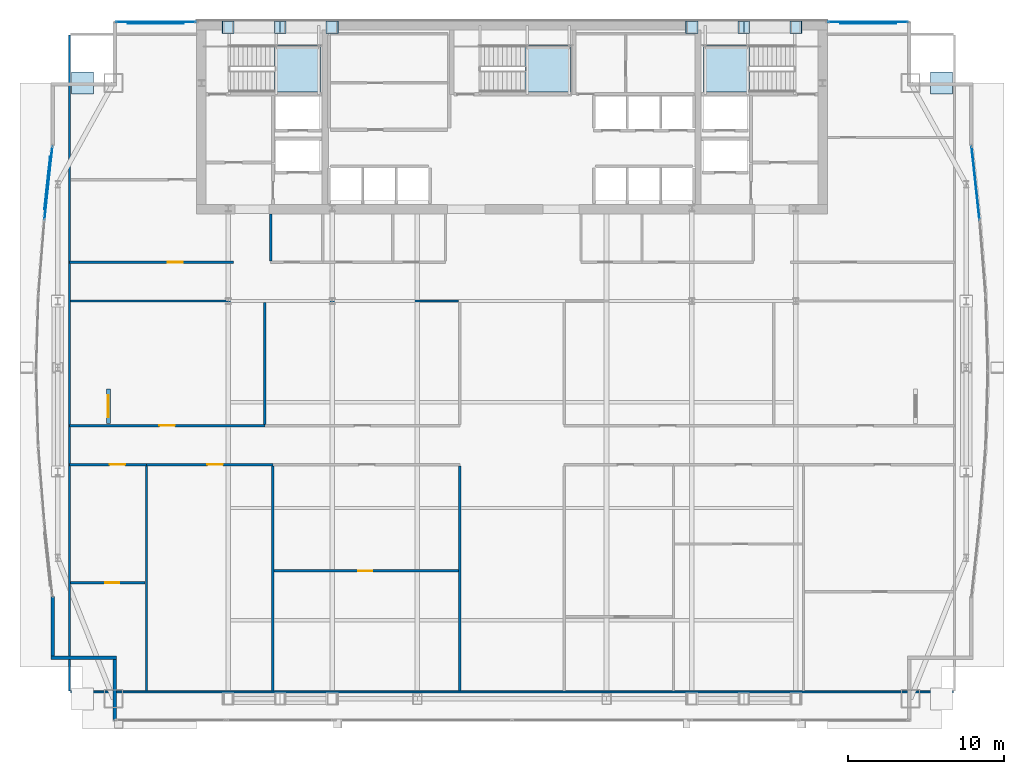
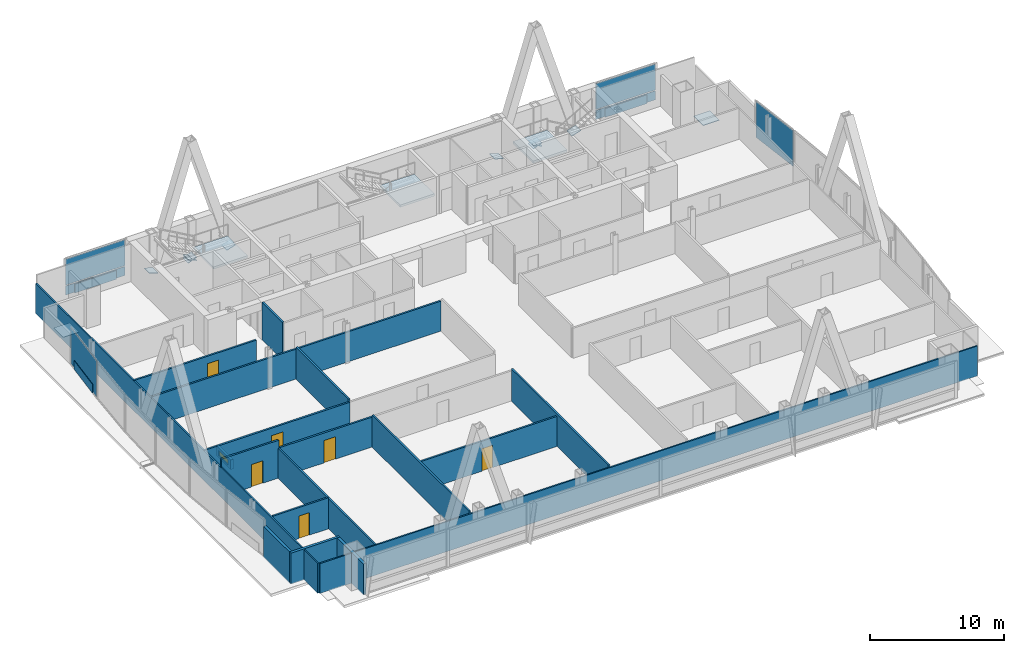
# One storey, part 26 of 32: 19 plates, 18 walls, 6 doors, 3 slabs, 1 window, 7 openings, 7 elements without a shape of their own.
"""IFC4 building model written with IfcOpenShell, lengths in metres."""

from ifc_helpers import new_model, si_unit, direction, frame, frame_2d, origin, origin_2d, place, context, subcontext, project, spatial, polyline, rectangle, outline, extrude, material, layer, layer_set, type_object, element, fill, aggregate, save


model = new_model("IFC4")

# Units and contexts
model_context = context("Model", 3, precision=1e-05, world=origin(), true_north=direction((0.0, 1.0)))
body_context = subcontext(model_context, "Body", "Model", "MODEL_VIEW")
ifc_project = project(units=[si_unit("LENGTHUNIT", "METRE"), si_unit("AREAUNIT", "SQUARE_METRE"), si_unit("VOLUMEUNIT", "CUBIC_METRE"), si_unit("PLANEANGLEUNIT", "RADIAN"), si_unit("MASSUNIT", "GRAM", prefix="KILO")], contexts=[model_context])

# Site, building, storey
site_placement = place(None, origin())
site = spatial("IfcSite", under=ifc_project, at=site_placement, CompositionType="ELEMENT")
building_placement = place(site_placement, origin())
building = spatial("IfcBuilding", under=site, at=building_placement, Name="Khoronbel Lancet Exchange", CompositionType="ELEMENT")
storey_placement = place(building_placement, frame((0.0, 0.0, 188.60009765625)))
storey = spatial("IfcBuildingStorey", under=building, at=storey_placement, Name="L47", CompositionType="ELEMENT", Elevation=188.60009765625)

# Curtain wall, plate
ifc_material_1 = material(Name="Low-E Solar Control Insulating Glass", Category="glass")
curtain_wall_type_1 = type_object("IfcCurtainWallType", Name="CW-4", PredefinedType="NOTDEFINED", material=ifc_material_1)
curtain_wall_1_placement = place(storey_placement, origin())
curtain_wall_1 = element("IfcCurtainWall", 1, at=curtain_wall_1_placement, inside=storey, type_object=curtain_wall_type_1, Name="Unitised curtain wall CW-L47-E09", PredefinedType="NOTDEFINED")
ifc_material_2 = material(Name="Bronze-Anodised Aluminium 6063-T6", Category="aluminium")
ifc_layer_1 = layer(ifc_material_2, 0.050048828125, Name="Bronze-Anodised Aluminium 6063-T6")
ifc_layer_set_1 = layer_set([ifc_layer_1], Name="Bronze-Anodised Aluminium 6063-T6")
plate_type_1 = type_object("IfcPlateType", Name="PLT-CSP1", PredefinedType="SHEET", material=ifc_layer_set_1)
plate_1_placement = place(storey_placement, frame((6.61767578125, 43.283203125, 0.0498046875), z_axis=(0.0, 0.0, 1.0), x_axis=(0.107990289834, 0.994151948799, 0.0)))
plate_1 = element("IfcPlate", 2, at=plate_1_placement, type_object=plate_type_1, Name="Insulated bronze spandrel cassette CW-L47-E09", PredefinedType="SHEET", context=body_context, shape_type="SweptSolid", body=[
    extrude(rectangle(XDim=3.40576171875, YDim=0.050048828125, at=origin_2d()), origin(), (0.0, 0.0, 1.0), 0.800048828125),
])

curtain_wall_type_2 = type_object("IfcCurtainWallType", Name="CW-3", PredefinedType="NOTDEFINED", material=ifc_material_1)
curtain_wall_2_placement = place(storey_placement, origin())
curtain_wall_2 = element("IfcCurtainWall", 3, at=curtain_wall_2_placement, inside=storey, type_object=curtain_wall_type_2, Name="Unitised curtain wall CW-L47-NWFLK", PredefinedType="NOTDEFINED")
plate_2_placement = place(storey_placement, frame((13.580078125, 53.550048828125, 0.0498046875), z_axis=(0.0, 0.0, 1.0), x_axis=(-1.0, 0.0, 0.0)))
plate_2 = element("IfcPlate", 4, at=plate_2_placement, type_object=plate_type_1, Name="Insulated bronze spandrel cassette CW-L47-NWFLK", PredefinedType="SHEET", context=body_context, shape_type="SweptSolid", body=[
    extrude(rectangle(XDim=3.60009765625, YDim=0.050048828125, at=origin_2d()), origin(), (0.0, 0.0, 1.0), 0.800048828125),
])

curtain_wall_3_placement = place(storey_placement, origin())
curtain_wall_3 = element("IfcCurtainWall", 5, at=curtain_wall_3_placement, inside=storey, type_object=curtain_wall_type_2, Name="Unitised curtain wall CW-L47-NEFLK", PredefinedType="NOTDEFINED")
plate_3_placement = place(storey_placement, frame((59.320068359375, 53.550048828125, 0.0498046875), z_axis=(0.0, 0.0, 1.0), x_axis=(-1.0, 0.0, 0.0)))
plate_3 = element("IfcPlate", 6, at=plate_3_placement, type_object=plate_type_1, Name="Insulated bronze spandrel cassette CW-L47-NEFLK", PredefinedType="SHEET", context=body_context, shape_type="SweptSolid", body=[
    extrude(rectangle(XDim=3.60009765625, YDim=0.050048828125, at=origin_2d()), origin(), (0.0, 0.0, 1.0), 0.800048828125),
])

# Plate
ifc_layer_2 = layer(ifc_material_1, 0.035888671875, Name="Low-E Solar Control Insulating Glass")
ifc_layer_set_2 = layer_set([ifc_layer_2], Name="Low-E Solar Control Insulating Glass")
plate_type_2 = type_object("IfcPlateType", Name="PLT-CWP1", PredefinedType="CURTAIN_PANEL", material=ifc_layer_set_2)
plate_4_placement = place(storey_placement, frame((13.580078125, 53.610107421875, 0.0849609375), z_axis=(0.0, 0.0, 1.0), x_axis=(-1.0, 0.0, 0.0)))
plate_4 = element("IfcPlate", 7, at=plate_4_placement, type_object=plate_type_2, Name="CW3 panel 1.1", PredefinedType="CURTAIN_PANEL", context=body_context, shape_type="SweptSolid", body=[
    extrude(rectangle(XDim=5.110107421875, YDim=0.0380859375, at=origin_2d()), origin(), (0.0, 0.0, 1.0), 0.822509765625),
])

plate_5_placement = place(storey_placement, frame((13.580078125, 53.610107421875, 0.9921875), z_axis=(0.0, 0.0, 1.0), x_axis=(-1.0, 0.0, 0.0)))
plate_5 = element("IfcPlate", 8, at=plate_5_placement, type_object=plate_type_2, Name="CW3 panel 1.2", PredefinedType="CURTAIN_PANEL", context=body_context, shape_type="SweptSolid", body=[
    extrude(rectangle(XDim=5.110107421875, YDim=0.0380859375, at=origin_2d()), origin(), (0.0, 0.0, 1.0), 2.362548828125),
])

aggregate(curtain_wall_2, [plate_4, plate_5, plate_2])

plate_6_placement = place(storey_placement, frame((59.320068359375, 53.610107421875, 0.0849609375), z_axis=(0.0, 0.0, 1.0), x_axis=(-1.0, 0.0, 0.0)))
plate_6 = element("IfcPlate", 9, at=plate_6_placement, type_object=plate_type_2, Name="CW3 panel 1.1", PredefinedType="CURTAIN_PANEL", context=body_context, shape_type="SweptSolid", body=[
    extrude(rectangle(XDim=5.110107421875, YDim=0.0380859375, at=origin_2d()), origin(), (0.0, 0.0, 1.0), 0.822509765625),
])

plate_7_placement = place(storey_placement, frame((59.320068359375, 53.610107421875, 0.9921875), z_axis=(0.0, 0.0, 1.0), x_axis=(-1.0, 0.0, 0.0)))
plate_7 = element("IfcPlate", 10, at=plate_7_placement, type_object=plate_type_2, Name="CW3 panel 1.2", PredefinedType="CURTAIN_PANEL", context=body_context, shape_type="SweptSolid", body=[
    extrude(rectangle(XDim=5.110107421875, YDim=0.0380859375, at=origin_2d()), origin(), (0.0, 0.0, 1.0), 2.362548828125),
])

aggregate(curtain_wall_3, [plate_6, plate_7, plate_3])

ifc_material_3 = material(Name="Ceramic-Fritted Laminated Insulating Glass", Category="glass")
ifc_layer_3 = layer(ifc_material_3, 0.0419921875, Name="Ceramic-Fritted Laminated Insulating Glass")
ifc_layer_set_3 = layer_set([ifc_layer_3], Name="Ceramic-Fritted Laminated Insulating Glass")
plate_type_3 = type_object("IfcPlateType", Name="PLT-CWP2", PredefinedType="CURTAIN_PANEL", material=ifc_layer_set_3)
plate_8_placement = place(storey_placement, frame((6.67724609375, 43.276611328125, 0.0849609375), z_axis=(0.0, 0.0, 1.0), x_axis=(0.107990289834, 0.994151948799, 0.0)))
plate_8 = element("IfcPlate", 11, at=plate_8_placement, type_object=plate_type_3, Name="CW4 panel 1.1", PredefinedType="CURTAIN_PANEL", context=body_context, shape_type="SweptSolid", body=[
    extrude(rectangle(XDim=4.71533203125, YDim=0.0380859375, at=origin_2d()), origin(), (0.0, 0.0, 1.0), 3.27001953125),
])

aggregate(curtain_wall_1, [plate_8, plate_1])

# Curtain wall, plate
curtain_wall_4_placement = place(storey_placement, origin())
curtain_wall_4 = element("IfcCurtainWall", 12, at=curtain_wall_4_placement, inside=storey, type_object=curtain_wall_type_1, Name="Unitised curtain wall CW-L47-E17", PredefinedType="NOTDEFINED")
plate_9_placement = place(storey_placement, frame((66.22265625, 43.276611328125, 0.0849609375), z_axis=(0.0, 0.0, 1.0), x_axis=(0.107990289834, -0.994151948799, 0.0)))
plate_9 = element("IfcPlate", 13, at=plate_9_placement, type_object=plate_type_3, Name="CW4 panel 1.1", PredefinedType="CURTAIN_PANEL", context=body_context, shape_type="SweptSolid", body=[
    extrude(rectangle(XDim=4.71533203125, YDim=0.0380859375, at=origin_2d()), origin(), (0.0, 0.0, 1.0), 3.27001953125),
])
aggregate(curtain_wall_4, [plate_9])

# Plates
ifc_material_4 = material(Name="Steel S460", Category="steel")
ifc_layer_4 = layer(ifc_material_4, 0.044921875, Name="Steel S460")
ifc_layer_set_4 = layer_set([ifc_layer_4], Name="Steel S460")
plate_type_4 = type_object("IfcPlateType", Name="PLT-ECP1", PredefinedType="USERDEFINED", material=ifc_layer_set_4)
plate_10_placement = place(storey_placement, frame((0.0, 0.0, -0.01220703125)))
element("IfcPlate", 14, at=plate_10_placement, inside=storey, type_object=plate_type_4, Name="Hollow end cap plate PLT-CAP-COL-L46-MC-NE-TOP", ObjectType="STIFFENER_PLATE", PredefinedType="USERDEFINED", context=body_context, shape_type="SweptSolid", body=[
    extrude(outline(polyline([(63.344970703125, 48.9951171875), (64.7548828125, 48.9951171875), (64.7548828125, 50.405029296875), (63.344970703125, 50.405029296875), (63.344970703125, 48.9951171875)])), origin(), (0.0, 0.0, 1.0), 0.045166015625),
])
plate_11_placement = place(storey_placement, frame((0.0, 0.0, -0.01220703125)))
element("IfcPlate", 15, at=plate_11_placement, inside=storey, type_object=plate_type_4, Name="Hollow end cap plate PLT-CAP-COL-L46-MC-NW-TOP", ObjectType="STIFFENER_PLATE", PredefinedType="USERDEFINED", context=body_context, shape_type="SweptSolid", body=[
    extrude(outline(polyline([(8.14501953125, 48.9951171875), (9.554931640625, 48.9951171875), (9.554931640625, 50.405029296875), (8.14501953125, 50.405029296875), (8.14501953125, 48.9951171875)])), origin(), (0.0, 0.0, 1.0), 0.045166015625),
])
for number, where, z_axis, x_axis, name in (
    (16, (21.9443359375, 52.8798828125, -0.12353515625), (0.384875433743, 0.0, 0.922968526279), (0.0, 1.0, 0.0), "Hollow end cap plate PLT-CAP-MEM-MB-T15-N-W-L-1"),
    (17, (21.1806640625, 53.679931640625, -0.12353515625), (-0.384875433743, 0.0, 0.922968526279), (0.0, -1.0, 0.0), "Hollow end cap plate PLT-CAP-MEM-MB-T15-N-W-R-1"),
):
    element("IfcPlate", number, at=place(storey_placement, frame(where, z_axis=z_axis, x_axis=x_axis)), inside=storey, type_object=plate_type_4, Name=name, ObjectType="STIFFENER_PLATE", PredefinedType="USERDEFINED", context=body_context, shape_type="SweptSolid", body=[
        extrude(outline(polyline([(0.0, 0.0), (0.800048828125, 0.0), (0.800048828125, 0.7998046875), (0.0, 0.7998046875), (0.0, 0.0)])), origin(), (0.0, 0.0, -1.0), 0.044921875),
    ])
plate_12_placement = place(storey_placement, frame((51.719482421875, 52.8798828125, -0.12353515625), z_axis=(0.384767040928, 0.0, 0.923013718325), x_axis=(0.0, 1.0, 0.0)))
element("IfcPlate", 18, at=plate_12_placement, inside=storey, type_object=plate_type_4, Name="Hollow end cap plate PLT-CAP-MEM-MB-T15-N-E-L-1", ObjectType="STIFFENER_PLATE", PredefinedType="USERDEFINED", context=body_context, shape_type="SweptSolid", body=[
    extrude(outline(polyline([(0.0, 0.0), (0.800048828125, 0.0), (0.800048828125, 0.800048828125), (0.0, 0.800048828125), (0.0, 0.0)])), origin(), (0.0, 0.0, -1.0), 0.044921875),
])
for number, where, z_axis, x_axis, name in (
    (19, (50.95556640625, 53.679931640625, -0.12353515625), (-0.384875433743, 0.0, 0.922968526279), (0.0, -1.0, 0.0), "Hollow end cap plate PLT-CAP-MEM-MB-T15-N-E-R-1"),
    (20, (18.610595703125, 52.8798828125, -0.106689453125), (0.295179616828, 0.0, 0.955441779393), (0.0, 1.0, 0.0), "Hollow end cap plate PLT-CAP-MEM-MB-T16-N-W-L-0"),
    (21, (24.514404296875, 53.679931640625, -0.106689453125), (-0.295179616828, 0.0, 0.955441779393), (0.0, -1.0, 0.0), "Hollow end cap plate PLT-CAP-MEM-MB-T16-N-W-R-0"),
):
    element("IfcPlate", number, at=place(storey_placement, frame(where, z_axis=z_axis, x_axis=x_axis)), inside=storey, type_object=plate_type_4, Name=name, ObjectType="STIFFENER_PLATE", PredefinedType="USERDEFINED", context=body_context, shape_type="SweptSolid", body=[
        extrude(outline(polyline([(0.0, 0.0), (0.800048828125, 0.0), (0.800048828125, 0.7998046875), (0.0, 0.7998046875), (0.0, 0.0)])), origin(), (0.0, 0.0, -1.0), 0.044921875),
    ])
for number, where, z_axis, x_axis, name in (
    (22, (48.3857421875, 52.8798828125, -0.106689453125), (0.295093551173, 0.0, 0.955468364759), (0.0, 1.0, 0.0), "Hollow end cap plate PLT-CAP-MEM-MB-T16-N-E-L-0"),
    (23, (54.289306640625, 53.679931640625, -0.106689453125), (-0.295093551173, 0.0, 0.955468364759), (0.0, -1.0, 0.0), "Hollow end cap plate PLT-CAP-MEM-MB-T16-N-E-R-0"),
):
    element("IfcPlate", number, at=place(storey_placement, frame(where, z_axis=z_axis, x_axis=x_axis)), inside=storey, type_object=plate_type_4, Name=name, ObjectType="STIFFENER_PLATE", PredefinedType="USERDEFINED", context=body_context, shape_type="SweptSolid", body=[
        extrude(outline(polyline([(0.0, 0.0), (0.800048828125, 0.0), (0.800048828125, 0.800048828125), (0.0, 0.800048828125), (0.0, 0.0)])), origin(), (0.0, 0.0, -1.0), 0.044921875),
    ])

# Stair, slab
ifc_material_5 = material(Name="Concrete C40/50", Category="concrete")
stair_type = type_object("IfcStairType", Name="STR-CORE150", PredefinedType="HALF_TURN_STAIR", material=ifc_material_5)
stair_1_placement = place(storey_placement, origin())
stair_1 = element("IfcStair", 24, at=stair_1_placement, inside=storey, type_object=stair_type, Name="L47 Protected Exit Stair ST1", PredefinedType="HALF_TURN_STAIR")
ifc_layer_5 = layer(ifc_material_5, 0.199951171875, Name="Concrete C40/50")
ifc_layer_set_5 = layer_set([ifc_layer_5], Name="Concrete C40/50")
slab_type = type_object("IfcSlabType", Name="SL-LND180", PredefinedType="LANDING", material=ifc_layer_set_5)
slab_1_placement = place(storey_placement, frame((0.0, 0.0, 1.599853515625)))
slab_1 = element("IfcSlab", 25, at=slab_1_placement, type_object=slab_type, Name="ST1 landing 1", PredefinedType="LANDING", context=body_context, shape_type="SweptSolid", body=[
    extrude(outline(polyline([(21.199951171875, 49.1201171875), (24.14990234375, 49.1201171875), (24.14990234375, 52.10009765625), (21.199951171875, 52.10009765625), (21.199951171875, 49.1201171875)])), origin(), (0.0, 0.0, 1.0), 0.199951171875),
])
aggregate(stair_1, [slab_1])

stair_2_placement = place(storey_placement, origin())
stair_2 = element("IfcStair", 26, at=stair_2_placement, inside=storey, type_object=stair_type, Name="L47 Protected Exit Stair ST2", PredefinedType="HALF_TURN_STAIR")
slab_2_placement = place(storey_placement, frame((0.0, 0.0, 1.599853515625)))
slab_2 = element("IfcSlab", 27, at=slab_2_placement, type_object=slab_type, Name="ST2 landing 1", PredefinedType="LANDING", context=body_context, shape_type="SweptSolid", body=[
    extrude(outline(polyline([(51.699951171875, 52.10009765625), (48.75, 52.10009765625), (48.75, 49.1201171875), (51.699951171875, 49.1201171875), (51.699951171875, 52.10009765625)])), origin(), (0.0, 0.0, 1.0), 0.199951171875),
])
aggregate(stair_2, [slab_2])

stair_3_placement = place(storey_placement, origin())
stair_3 = element("IfcStair", 28, at=stair_3_placement, inside=storey, type_object=stair_type, Name="L47 Protected Exit Stair ST3", PredefinedType="HALF_TURN_STAIR")
slab_3_placement = place(storey_placement, frame((0.0, 0.0, 1.599853515625)))
slab_3 = element("IfcSlab", 29, at=slab_3_placement, type_object=slab_type, Name="ST3 landing 1", PredefinedType="LANDING", context=body_context, shape_type="SweptSolid", body=[
    extrude(outline(polyline([(37.300048828125, 49.1201171875), (40.25, 49.1201171875), (40.25, 52.10009765625), (37.300048828125, 52.10009765625), (37.300048828125, 49.1201171875)])), origin(), (0.0, 0.0, 1.0), 0.199951171875),
])
aggregate(stair_3, [slab_3])

# Walls
ifc_material_6 = material(Name="Precast concrete C40/50", Category="concrete")
ifc_layer_6 = layer(ifc_material_6, 0.25, Name="Precast concrete C40/50")
ifc_layer_set_6 = layer_set([ifc_layer_6], Name="Precast concrete C40/50")
wall_type_1 = type_object("IfcWallType", Name="WL-EXT250", PredefinedType="SOLIDWALL", material=ifc_layer_set_6)
wall_1_placement = place(storey_placement, frame((10.93994140625, 8.77001953125, 0.0), z_axis=(0.0, 0.0, 1.0), x_axis=(0.0, 1.0, 0.0)))
element("IfcWall", 30, at=wall_1_placement, inside=storey, type_object=wall_type_1, Name="Level L47 notched-corner limestone pier 01", PredefinedType="SOLIDWALL", context=body_context, shape_type="SweptSolid", body=[
    extrude(rectangle(XDim=3.909912109375, YDim=0.219970703125, at=frame_2d((1.955078125, 0.0))), origin(), (0.0, 0.0, 1.0), 2.829833984375),
])
wall_2_placement = place(storey_placement, frame((11.050048828125, 12.7900390625, 0.0), z_axis=(0.0, 0.0, 1.0), x_axis=(-1.0, 0.0, 0.0)))
element("IfcWall", 31, at=wall_2_placement, inside=storey, type_object=wall_type_1, Name="Level L47 notched-corner limestone pier 02", PredefinedType="SOLIDWALL", context=body_context, shape_type="SweptSolid", body=[
    extrude(rectangle(XDim=4.219970703125, YDim=0.219970703125, at=frame_2d((2.10986328125, 0.0))), origin(), (0.0, 0.0, 1.0), 2.829833984375),
])
wall_3_placement = place(storey_placement, frame((6.93994140625, 12.89990234375, 0.0), z_axis=(0.0, 0.0, 1.0), x_axis=(0.0, 1.0, 0.0)))
element("IfcWall", 32, at=wall_3_placement, inside=storey, type_object=wall_type_1, Name="Level L47 notched-corner limestone pier 03", PredefinedType="SOLIDWALL", context=body_context, shape_type="SweptSolid", body=[
    extrude(rectangle(XDim=3.824951171875, YDim=0.219970703125, at=frame_2d((1.91259765625, 0.0))), origin(), (0.0, 0.0, 1.0), 2.829833984375),
])

# Wall, opening, window
ifc_layer_7 = layer(ifc_material_5, 0.25, Name="Concrete C40/50")
ifc_layer_set_7 = layer_set([ifc_layer_7], Name="Concrete C40/50")
wall_type_2 = type_object("IfcWallType", Name="WL-PAR250", PredefinedType="PARAPET", material=ifc_layer_set_7)
wall_4_placement = place(storey_placement, frame((10.52490234375, 27.85009765625, 0.0), z_axis=(0.0, 0.0, 1.0), x_axis=(0.0, 1.0, 0.0)))
wall_4 = element("IfcWall", 33, at=wall_4_placement, inside=storey, type_object=wall_type_2, Name="Level L47 setback roof slab 1 smoke-ventilation skylight lantern curb", PredefinedType="PARAPET", context=body_context, shape_type="SweptSolid", body=[
    extrude(rectangle(XDim=2.199951171875, YDim=0.25, at=frame_2d((1.10009765625, 0.0))), origin(), (0.0, 0.0, 1.0), 0.8798828125),
])
opening_1_placement = place(wall_4_placement, frame((0.39990234375, 0.0, 0.159912109375)))
opening_1 = element("IfcOpeningElement", 34, at=opening_1_placement, cuts=wall_4, Name="Opening SK2", PredefinedType="OPENING", context=body_context, shape_type="SweptSolid", body=[
    extrude(rectangle(XDim=1.39990234375, YDim=0.5, at=frame_2d((0.699951171875, 0.25))), frame((0.0, 0.135009765625, 0.0), z_axis=(0.0, -1.0, 0.0), x_axis=(1.0, 0.0, 0.0)), (0.0, 0.0, 1.0), 0.27001953125),
])
window_type = type_object("IfcWindowType", Name="WIN-SK2", PartitioningType="SINGLE_PANEL", PredefinedType="SKYLIGHT", material=ifc_material_1)
window_placement = place(opening_1_placement, origin())
window = element("IfcWindow", 35, at=window_placement, inside=storey, type_object=window_type, Name="Level L47 setback roof slab 1 smoke-ventilation clerestory skylight", OverallHeight=0.5, OverallWidth=1.39990234375, PartitioningType="SINGLE_PANEL", PredefinedType="SKYLIGHT", context=body_context, shape_type="SweptSolid", body=[
    extrude(rectangle(XDim=1.39990234375, YDim=0.5, at=frame_2d((0.699951171875, 0.25))), frame((0.0, 0.030029296875, 0.0), z_axis=(0.0, -1.0, 0.0), x_axis=(1.0, 0.0, 0.0)), (0.0, 0.0, 1.0), 0.06005859375),
])
fill(opening_1, window)

# Wall
ifc_material_7 = material(Name="Acoustic Metal-Stud & Mineral-Wool Gypsum Partition 120 mm", Category="gypsum")
ifc_layer_8 = layer(ifc_material_7, 0.1201171875, Name="Acoustic Metal-Stud & Mineral-Wool Gypsum Partition 120 mm")
ifc_layer_set_8 = layer_set([ifc_layer_8], Name="Acoustic Metal-Stud & Mineral-Wool Gypsum Partition 120 mm")
wall_type_3 = type_object("IfcWallType", Name="WL-PRT120", PredefinedType="PARTITIONING", material=ifc_layer_set_8)
wall_5_placement = place(storey_placement, frame((20.949951171875, 38.280029296875, 0.0), z_axis=(0.0, 0.0, 1.0), x_axis=(0.0, 1.0, 0.0)))
element("IfcWall", 36, at=wall_5_placement, inside=storey, type_object=wall_type_3, Name="Level L47 interior partition PW-WC-0", PredefinedType="PARTITIONING", context=body_context, shape_type="SweptSolid", body=[
    extrude(rectangle(XDim=3.02001953125, YDim=0.14990234375, at=frame_2d((1.510009765625, 0.0))), origin(), (0.0, 0.0, 1.0), 3.43994140625),
])

# Wall, opening, door
wall_6_placement = place(storey_placement, frame((8.094970703125, 17.602294921875, 0.0), z_axis=(0.0, 0.0, 1.0), x_axis=(1.0, 0.0, 0.0)))
wall_6 = element("IfcWall", 37, at=wall_6_placement, inside=storey, type_object=wall_type_3, Name="Level L47 interior partition PW-Z3SW-H1", PredefinedType="PARTITIONING", context=body_context, shape_type="SweptSolid", body=[
    extrude(rectangle(XDim=4.796875, YDim=0.14990234375, at=frame_2d((2.3984375, 0.0))), origin(), (0.0, 0.0, 1.0), 2.829833984375),
])
opening_2_placement = place(wall_6_placement, frame((2.223876953125, 0.0, 0.0)))
opening_2 = element("IfcOpeningElement", 38, at=opening_2_placement, cuts=wall_6, Name="Opening D5", PredefinedType="OPENING", context=body_context, shape_type="SweptSolid", body=[
    extrude(rectangle(XDim=0.89990234375, YDim=2.050048828125, at=frame_2d((0.449951171875, 1.02490234375))), frame((0.0, 0.0849609375, 0.0), z_axis=(0.0, -1.0, 0.0), x_axis=(1.0, 0.0, 0.0)), (0.0, 0.0, 1.0), 0.169921875),
])
ifc_material_8 = material(Name="Acoustic Timber Pantry & Support Door", Category="wood")
door_type_1 = type_object("IfcDoorType", Name="DR-D5", OperationType="NOTDEFINED", PredefinedType="DOOR", material=ifc_material_8)
door_1_placement = place(opening_2_placement, origin())
door_1 = element("IfcDoor", 39, at=door_1_placement, inside=storey, type_object=door_type_1, Name="Z3SW inner door 1 L47-1", OperationType="SINGLE_SWING_LEFT", OverallHeight=2.050048828125, OverallWidth=0.89990234375, PredefinedType="DOOR", context=body_context, shape_type="SweptSolid", body=[
    extrude(rectangle(XDim=0.89990234375, YDim=2.050048828125, at=frame_2d((0.449951171875, 1.02490234375))), frame((0.0, 0.02490234375, 0.0), z_axis=(0.0, -1.0, 0.0), x_axis=(1.0, 0.0, 0.0)), (0.0, 0.0, 1.0), 0.050048828125),
])
fill(opening_2, door_1)

wall_7_placement = place(storey_placement, frame((21.16845703125, 18.365966796875, 0.0), z_axis=(0.0, 0.0, 1.0), x_axis=(1.0, 0.0, 0.0)))
wall_7 = element("IfcWall", 40, at=wall_7_placement, inside=storey, type_object=wall_type_3, Name="Level L47 interior partition PW-Z3SW-H3", PredefinedType="PARTITIONING", context=body_context, shape_type="SweptSolid", body=[
    extrude(rectangle(XDim=11.8515625, YDim=0.14990234375, at=frame_2d((5.92578125, 0.0))), origin(), (0.0, 0.0, 1.0), 2.72998046875),
])
opening_3_placement = place(wall_7_placement, frame((5.4052734375, 0.0, 0.0)))
opening_3 = element("IfcOpeningElement", 41, at=opening_3_placement, cuts=wall_7, Name="Opening D5", PredefinedType="OPENING", context=body_context, shape_type="SweptSolid", body=[
    extrude(rectangle(XDim=0.89990234375, YDim=2.050048828125, at=frame_2d((0.449951171875, 1.02490234375))), frame((0.0, 0.0849609375, 0.0), z_axis=(0.0, -1.0, 0.0), x_axis=(1.0, 0.0, 0.0)), (0.0, 0.0, 1.0), 0.169921875),
])
door_2_placement = place(opening_3_placement, origin())
door_2 = element("IfcDoor", 42, at=door_2_placement, inside=storey, type_object=door_type_1, Name="Z3SW inner door 3 L47-1", OperationType="SINGLE_SWING_RIGHT", OverallHeight=2.050048828125, OverallWidth=0.89990234375, PredefinedType="DOOR", context=body_context, shape_type="SweptSolid", body=[
    extrude(rectangle(XDim=0.89990234375, YDim=2.050048828125, at=frame_2d((0.449951171875, 1.02490234375))), frame((0.0, 0.02490234375, 0.0), z_axis=(0.0, -1.0, 0.0), x_axis=(1.0, 0.0, 0.0)), (0.0, 0.0, 1.0), 0.050048828125),
])
fill(opening_3, door_2)

# Walls
wall_8_placement = place(storey_placement, frame((8.030029296875, 10.6650390625, 0.0), z_axis=(0.0, 0.0, 1.0), x_axis=(0.0, 1.0, 0.0)))
element("IfcWall", 43, at=wall_8_placement, inside=storey, type_object=wall_type_3, Name="Level L47 interior partition PW-LIN-W", PredefinedType="PARTITIONING", context=body_context, shape_type="SweptSolid", body=[
    extrude(rectangle(XDim=42.10986328125, YDim=0.1201171875, at=frame_2d((21.054931640625, 0.0))), origin(), (0.0, 0.0, 1.0), 2.72998046875),
])
wall_9_placement = place(storey_placement, frame((8.094970703125, 10.60009765625, 0.0), z_axis=(0.0, 0.0, 1.0), x_axis=(1.0, 0.0, 0.0)))
element("IfcWall", 44, at=wall_9_placement, inside=storey, type_object=wall_type_3, Name="Level L47 interior partition PW-LIN-S", PredefinedType="PARTITIONING", context=body_context, shape_type="SweptSolid", body=[
    extrude(rectangle(XDim=56.7099609375, YDim=0.1201171875, at=frame_2d((28.35498046875, 0.0))), origin(), (0.0, 0.0, 1.0), 2.72998046875),
])

# Wall, opening, door
ifc_material_9 = material(Name="Fire-Rated Twin-Stud Acoustic Gypsum Partition 150 mm", Category="gypsum")
ifc_layer_9 = layer(ifc_material_9, 0.14990234375, Name="Fire-Rated Twin-Stud Acoustic Gypsum Partition 150 mm")
ifc_layer_set_9 = layer_set([ifc_layer_9], Name="Fire-Rated Twin-Stud Acoustic Gypsum Partition 150 mm")
wall_type_4 = type_object("IfcWallType", Name="WL-PRT150C", PredefinedType="PARTITIONING", material=ifc_layer_set_9)
wall_10_placement = place(storey_placement, frame((8.030029296875, 38.199951171875, 0.0), z_axis=(0.0, 0.0, 1.0), x_axis=(1.0, 0.0, 0.0)))
wall_10 = element("IfcWall", 45, at=wall_10_placement, inside=storey, type_object=wall_type_4, Name="Level L47 interior partition PW-NW-S", PredefinedType="PARTITIONING", context=body_context, shape_type="SweptSolid", body=[
    extrude(rectangle(XDim=10.52001953125, YDim=0.14990234375, at=frame_2d((5.260009765625, 0.0))), origin(), (0.0, 0.0, 1.0), 2.72998046875),
])
opening_4_placement = place(wall_10_placement, frame((6.320068359375, 0.0, 0.0)))
opening_4 = element("IfcOpeningElement", 46, at=opening_4_placement, cuts=wall_10, Name="Opening D1", PredefinedType="OPENING", context=body_context, shape_type="SweptSolid", body=[
    extrude(rectangle(XDim=0.949951171875, YDim=2.050048828125, at=frame_2d((0.47509765625, 1.02490234375))), frame((0.0, 0.0849609375, 0.0), z_axis=(0.0, -1.0, 0.0), x_axis=(1.0, 0.0, 0.0)), (0.0, 0.0, 1.0), 0.169921875),
])
ifc_material_10 = material(Name="Acoustic Veneered Timber & Bronze Frame Door", Category="wood")
door_type_2 = type_object("IfcDoorType", Name="DR-D1", OperationType="NOTDEFINED", PredefinedType="DOOR", material=ifc_material_10)
door_3_placement = place(opening_4_placement, origin())
door_3 = element("IfcDoor", 47, at=door_3_placement, inside=storey, type_object=door_type_2, Name="NW corner room door L47-1", OperationType="SINGLE_SWING_RIGHT", OverallHeight=2.050048828125, OverallWidth=0.949951171875, PredefinedType="DOOR", context=body_context, shape_type="SweptSolid", body=[
    extrude(rectangle(XDim=0.949951171875, YDim=2.050048828125, at=frame_2d((0.47509765625, 1.02490234375))), frame((0.0, 0.02490234375, 0.0), z_axis=(0.0, -1.0, 0.0), x_axis=(1.0, 0.0, 0.0)), (0.0, 0.0, 1.0), 0.050048828125),
])
fill(opening_4, door_3)

# Walls
wall_11_placement = place(storey_placement, frame((33.10009765625, 10.6650390625, 0.0), z_axis=(0.0, 0.0, 1.0), x_axis=(0.0, 1.0, 0.0)))
element("IfcWall", 48, at=wall_11_placement, inside=storey, type_object=wall_type_4, Name="Level L47 interior partition PW-Z3-CW1", PredefinedType="PARTITIONING", context=body_context, shape_type="SweptSolid", body=[
    extrude(rectangle(XDim=14.449951171875, YDim=0.14990234375, at=frame_2d((7.22509765625, 0.0))), origin(), (0.0, 0.0, 1.0), 2.929931640625),
])
wall_12_placement = place(storey_placement, frame((8.094970703125, 35.699951171875, 0.0), z_axis=(0.0, 0.0, 1.0), x_axis=(1.0, 0.0, 0.0)))
element("IfcWall", 49, at=wall_12_placement, inside=storey, type_object=wall_type_4, Name="Level L47 interior partition PW-Z3-WN", PredefinedType="PARTITIONING", context=body_context, shape_type="SweptSolid", body=[
    extrude(rectangle(XDim=24.925048828125, YDim=0.14990234375, at=frame_2d((12.46240234375, 0.0))), origin(), (0.0, 0.0, 1.0), 2.72998046875),
])
wall_13_placement = place(storey_placement, frame((12.971923828125, 10.6650390625, 0.0), z_axis=(0.0, 0.0, 1.0), x_axis=(0.0, 1.0, 0.0)))
element("IfcWall", 50, at=wall_13_placement, inside=storey, type_object=wall_type_4, Name="Level L47 interior partition PW-Z3SW-V1", PredefinedType="PARTITIONING", context=body_context, shape_type="SweptSolid", body=[
    extrude(rectangle(XDim=14.449951171875, YDim=0.14990234375, at=frame_2d((7.22509765625, 0.0))), origin(), (0.0, 0.0, 1.0), 2.72998046875),
])
wall_14_placement = place(storey_placement, frame((21.08837890625, 10.6650390625, 0.0), z_axis=(0.0, 0.0, 1.0), x_axis=(0.0, 1.0, 0.0)))
element("IfcWall", 51, at=wall_14_placement, inside=storey, type_object=wall_type_4, Name="Level L47 interior partition PW-Z3SW-V2", PredefinedType="PARTITIONING", context=body_context, shape_type="SweptSolid", body=[
    extrude(rectangle(XDim=14.449951171875, YDim=0.14990234375, at=frame_2d((7.22509765625, 0.0))), origin(), (0.0, 0.0, 1.0), 2.929931640625),
])
wall_15_placement = place(storey_placement, frame((20.5771484375, 27.784912109375, 0.0), z_axis=(0.0, 0.0, 1.0), x_axis=(0.0, 1.0, 0.0)))
element("IfcWall", 52, at=wall_15_placement, inside=storey, type_object=wall_type_4, Name="Level L47 interior partition PW-Z3NW-V1", PredefinedType="PARTITIONING", context=body_context, shape_type="SweptSolid", body=[
    extrude(rectangle(XDim=7.835205078125, YDim=0.14990234375, at=frame_2d((3.91748046875, 0.0))), origin(), (0.0, 0.0, 1.0), 2.929931640625),
])

# Wall, opening, door
ifc_material_11 = material(Name="Fire-Rated Twin-Stud Acoustic Gypsum Partition 160 mm", Category="gypsum")
ifc_layer_10 = layer(ifc_material_11, 0.159912109375, Name="Fire-Rated Twin-Stud Acoustic Gypsum Partition 160 mm")
ifc_layer_set_10 = layer_set([ifc_layer_10], Name="Fire-Rated Twin-Stud Acoustic Gypsum Partition 160 mm")
wall_type_5 = type_object("IfcWallType", Name="WL-PRT160C", PredefinedType="PARTITIONING", material=ifc_layer_set_10)
wall_16_placement = place(storey_placement, frame((8.030029296875, 25.199951171875, 0.0), z_axis=(0.0, 0.0, 1.0), x_axis=(1.0, 0.0, 0.0)))
wall_16 = element("IfcWall", 53, at=wall_16_placement, inside=storey, type_object=wall_type_5, Name="Level L47 interior partition PW-Z3SW-COR1", PredefinedType="PARTITIONING", context=body_context, shape_type="SweptSolid", body=[
    extrude(rectangle(XDim=4.94189453125, YDim=0.159912109375, at=frame_2d((2.470947265625, 0.0))), origin(), (0.0, 0.0, 1.0), 3.43994140625),
])
opening_5_placement = place(wall_16_placement, frame((2.57568359375, 0.0, 0.0)))
opening_5 = element("IfcOpeningElement", 54, at=opening_5_placement, cuts=wall_16, Name="Opening D2", PredefinedType="OPENING", context=body_context, shape_type="SweptSolid", body=[
    extrude(rectangle(XDim=1.0, YDim=2.050048828125, at=frame_2d((0.5, 1.02490234375))), frame((0.0, 0.08984375, 0.0), z_axis=(0.0, -1.0, 0.0), x_axis=(1.0, 0.0, 0.0)), (0.0, 0.0, 1.0), 0.179931640625),
])
door_type_3 = type_object("IfcDoorType", Name="DR-D2", OperationType="NOTDEFINED", PredefinedType="DOOR", material=ifc_material_10)
door_4_placement = place(opening_5_placement, origin())
door_4 = element("IfcDoor", 55, at=door_4_placement, inside=storey, type_object=door_type_3, Name="Z3SW bay 1 door L47-1", OperationType="SINGLE_SWING_RIGHT", OverallHeight=2.050048828125, OverallWidth=1.0, PredefinedType="DOOR", context=body_context, shape_type="SweptSolid", body=[
    extrude(rectangle(XDim=1.0, YDim=2.050048828125, at=frame_2d((0.5, 1.02490234375))), frame((0.0, 0.02490234375, 0.0), z_axis=(0.0, -1.0, 0.0), x_axis=(1.0, 0.0, 0.0)), (0.0, 0.0, 1.0), 0.050048828125),
])
fill(opening_5, door_4)

wall_17_placement = place(storey_placement, frame((12.971923828125, 25.199951171875, 0.0), z_axis=(0.0, 0.0, 1.0), x_axis=(1.0, 0.0, 0.0)))
wall_17 = element("IfcWall", 56, at=wall_17_placement, inside=storey, type_object=wall_type_5, Name="Level L47 interior partition PW-Z3SW-COR2", PredefinedType="PARTITIONING", context=body_context, shape_type="SweptSolid", body=[
    extrude(rectangle(XDim=8.116455078125, YDim=0.159912109375, at=frame_2d((4.05810546875, 0.0))), origin(), (0.0, 0.0, 1.0), 2.72998046875),
])
opening_6_placement = place(wall_17_placement, frame((3.908935546875, 0.0, 0.0)))
opening_6 = element("IfcOpeningElement", 57, at=opening_6_placement, cuts=wall_17, Name="Opening D2", PredefinedType="OPENING", context=body_context, shape_type="SweptSolid", body=[
    extrude(rectangle(XDim=1.0, YDim=2.050048828125, at=frame_2d((0.5, 1.02490234375))), frame((0.0, 0.08984375, 0.0), z_axis=(0.0, -1.0, 0.0), x_axis=(1.0, 0.0, 0.0)), (0.0, 0.0, 1.0), 0.179931640625),
])
door_5_placement = place(opening_6_placement, origin())
door_5 = element("IfcDoor", 58, at=door_5_placement, inside=storey, type_object=door_type_3, Name="Z3SW bay 2 door L47-1", OperationType="SINGLE_SWING_RIGHT", OverallHeight=2.050048828125, OverallWidth=1.0, PredefinedType="DOOR", context=body_context, shape_type="SweptSolid", body=[
    extrude(rectangle(XDim=1.0, YDim=2.050048828125, at=frame_2d((0.5, 1.02490234375))), frame((0.0, 0.02490234375, 0.0), z_axis=(0.0, -1.0, 0.0), x_axis=(1.0, 0.0, 0.0)), (0.0, 0.0, 1.0), 0.050048828125),
])
fill(opening_6, door_5)

wall_18_placement = place(storey_placement, frame((8.030029296875, 27.699951171875, 0.0), z_axis=(0.0, 0.0, 1.0), x_axis=(1.0, 0.0, 0.0)))
wall_18 = element("IfcWall", 59, at=wall_18_placement, inside=storey, type_object=wall_type_5, Name="Level L47 interior partition PW-Z3NW-COR1", PredefinedType="PARTITIONING", context=body_context, shape_type="SweptSolid", body=[
    extrude(rectangle(XDim=12.547119140625, YDim=0.159912109375, at=frame_2d((6.2734375, 0.0))), origin(), (0.0, 0.0, 1.0), 2.72998046875),
])
opening_7_placement = place(wall_18_placement, frame((5.769775390625, 0.0, 0.0)))
opening_7 = element("IfcOpeningElement", 60, at=opening_7_placement, cuts=wall_18, Name="Opening D2", PredefinedType="OPENING", context=body_context, shape_type="SweptSolid", body=[
    extrude(rectangle(XDim=1.0, YDim=2.050048828125, at=frame_2d((0.5, 1.02490234375))), frame((0.0, 0.08984375, 0.0), z_axis=(0.0, -1.0, 0.0), x_axis=(1.0, 0.0, 0.0)), (0.0, 0.0, 1.0), 0.179931640625),
])
door_6_placement = place(opening_7_placement, origin())
door_6 = element("IfcDoor", 61, at=door_6_placement, inside=storey, type_object=door_type_3, Name="Z3NW bay 1 door L47-1", OperationType="SINGLE_SWING_LEFT", OverallHeight=2.050048828125, OverallWidth=1.0, PredefinedType="DOOR", context=body_context, shape_type="SweptSolid", body=[
    extrude(rectangle(XDim=1.0, YDim=2.050048828125, at=frame_2d((0.5, 1.02490234375))), frame((0.0, 0.02490234375, 0.0), z_axis=(0.0, -1.0, 0.0), x_axis=(1.0, 0.0, 0.0)), (0.0, 0.0, 1.0), 0.050048828125),
])
fill(opening_7, door_6)

save(model, "model.ifc")
